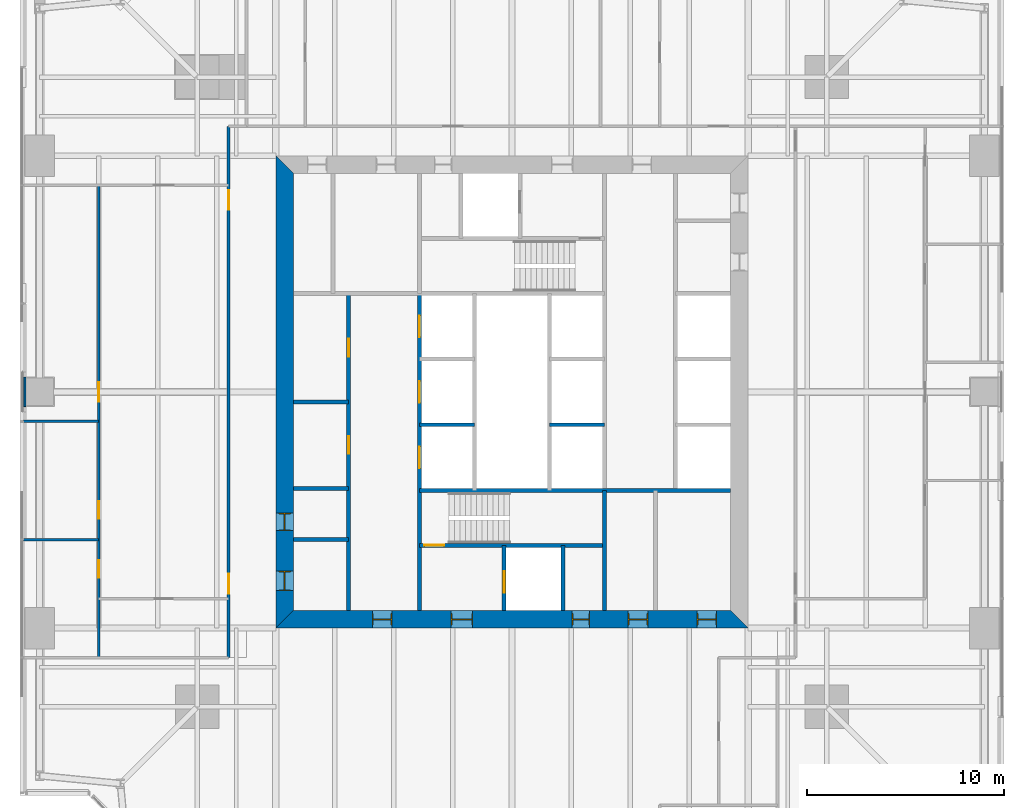
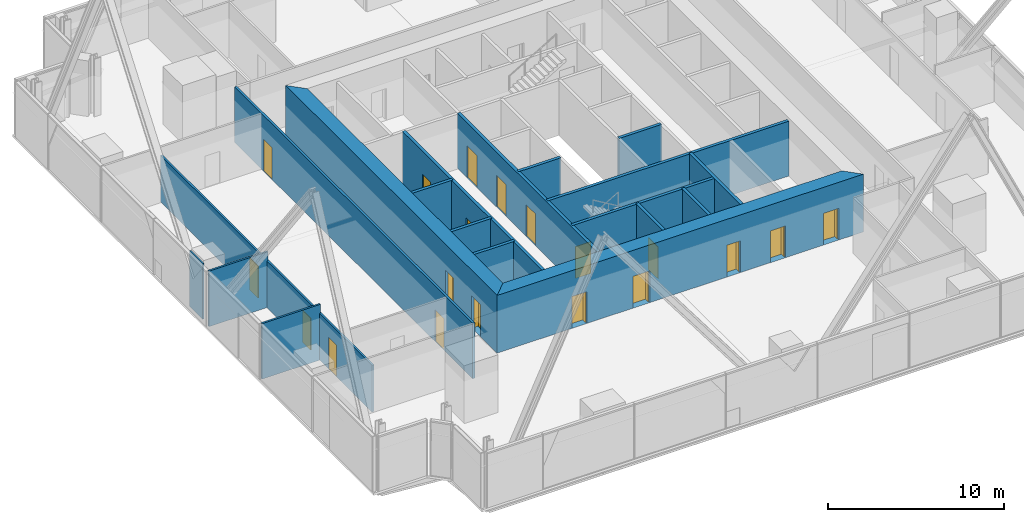
# One storey, part 9 of 13: 19 doors, 19 walls, 19 openings.
"""IFC4 building model written with IfcOpenShell, lengths in metres."""

from ifc_helpers import new_model, si_unit, direction, frame, frame_2d, origin, place, context, subcontext, project, spatial, polyline, rectangle, outline, extrude, material, layer, layer_set, type_object, element, fill, save


model = new_model("IFC4")

# Units and contexts
model_context = context("Model", 3, precision=1e-05, world=origin(), true_north=direction((0.0, 1.0)))
body_context = subcontext(model_context, "Body", "Model", "MODEL_VIEW")
ifc_project = project(units=[si_unit("LENGTHUNIT", "METRE"), si_unit("AREAUNIT", "SQUARE_METRE"), si_unit("VOLUMEUNIT", "CUBIC_METRE"), si_unit("PLANEANGLEUNIT", "RADIAN"), si_unit("MASSUNIT", "GRAM", prefix="KILO")], contexts=[model_context])

# Site, building, storey
site_placement = place(None, origin())
site = spatial("IfcSite", under=ifc_project, at=site_placement, CompositionType="ELEMENT")
building_placement = place(site_placement, origin())
building = spatial("IfcBuilding", under=site, at=building_placement, Name="Fenwick Lantern Interchange", CompositionType="ELEMENT")
storey_placement = place(building_placement, frame((0.0, 0.0, 114.39990234375)))
storey = spatial("IfcBuildingStorey", under=building, at=storey_placement, Name="L26", CompositionType="ELEMENT", Elevation=114.39990234375)

# Wall
ifc_material_1 = material(Name="Fire-rated gypsum board encasement on steel studs, 2 hour", Category="steel")
ifc_layer_1 = layer(ifc_material_1, 1.5)
ifc_layer_set_1 = layer_set([ifc_layer_1], Name="COLUMN PIER 1500")
wall_type_1 = type_object("IfcWallType", Name="COLUMN PIER 1500", PredefinedType="PARTITIONING", material=ifc_layer_set_1)
wall_1_placement = place(storey_placement, frame((0.199951171875, 25.0, 0.0), z_axis=(0.0, 0.0, 1.0), x_axis=(1.0, 0.0, 0.0)))
element("IfcWall", 1, at=wall_1_placement, inside=storey, type_object=wall_type_1, Name="L26/W/PIER/CW3", PredefinedType="PARTITIONING", context=body_context, shape_type="SweptSolid", body=[
    extrude(rectangle(XDim=0.10009765625, YDim=1.5, at=frame_2d((0.050048828125, 0.0))), origin(), (0.0, 0.0, 1.0), 3.85009765625),
])

# Wall, openings, doors
ifc_material_2 = material(Name="Concrete masonry ASTM C90 Grade N", Category="masonry")
ifc_layer_2 = layer(ifc_material_2, 0.199951171875)
ifc_layer_set_2 = layer_set([ifc_layer_2], Name="Concrete masonry ASTM C90 Grade N")
wall_type_2 = type_object("IfcWallType", Name="CORE PARTITION 200", PredefinedType="PARTITIONING", material=ifc_layer_set_2)
wall_2_placement = place(storey_placement, frame((16.699951171875, 13.89990234375, 0.0), z_axis=(0.0, 0.0, 1.0), x_axis=(0.0, 1.0, 0.0)))
wall_2 = element("IfcWall", 2, at=wall_2_placement, inside=storey, type_object=wall_type_2, Name="L26/W/CORES/a", PredefinedType="PARTITIONING", context=body_context, shape_type="SweptSolid", body=[
    extrude(rectangle(XDim=16.10009765625, YDim=0.199951171875, at=frame_2d((8.050048828125, 0.0))), origin(), (0.0, 0.0, 1.0), 3.800048828125),
])
opening_1_placement = place(wall_2_placement, frame((7.949951171875, 0.0, 0.0)))
opening_1 = element("IfcOpeningElement", 3, at=opening_1_placement, cuts=wall_2, Name="Opening L26-D009", PredefinedType="OPENING", context=body_context, shape_type="SweptSolid", body=[
    extrude(rectangle(XDim=0.89990234375, YDim=2.199951171875, at=frame_2d((0.449951171875, 1.10009765625))), frame((0.0, 0.10986328125, 0.0), z_axis=(0.0, -1.0, 0.0), x_axis=(1.0, 0.0, 0.0)), (0.0, 0.0, 1.0), 0.219970703125),
])
opening_2_placement = place(wall_2_placement, frame((12.89990234375, 0.0, 0.0)))
opening_2 = element("IfcOpeningElement", 4, at=opening_2_placement, cuts=wall_2, Name="Opening L26-D010", PredefinedType="OPENING", context=body_context, shape_type="SweptSolid", body=[
    extrude(rectangle(XDim=0.89990234375, YDim=2.199951171875, at=frame_2d((0.449951171875, 1.10009765625))), frame((0.0, 0.10986328125, 0.0), z_axis=(0.0, -1.0, 0.0), x_axis=(1.0, 0.0, 0.0)), (0.0, 0.0, 1.0), 0.219970703125),
])
ifc_material_3 = material(Name="Steel door and frame", Category="steel")
door_type_1 = type_object("IfcDoorType", Name="SERVICE DOOR 900 X 2200", OperationType="SINGLE_SWING_LEFT", PredefinedType="DOOR", material=ifc_material_3)
door_1_placement = place(opening_1_placement, origin())
door_1 = element("IfcDoor", 5, at=door_1_placement, inside=storey, type_object=door_type_1, Name="Service door", OperationType="SINGLE_SWING_LEFT", OverallHeight=2.199951171875, OverallWidth=0.89990234375, PredefinedType="DOOR", context=body_context, shape_type="SweptSolid", body=[
    extrude(rectangle(XDim=0.89990234375, YDim=2.199951171875, at=frame_2d((0.449951171875, 1.10009765625))), frame((0.0, 0.02490234375, 0.0), z_axis=(0.0, -1.0, 0.0), x_axis=(1.0, 0.0, 0.0)), (0.0, 0.0, 1.0), 0.050048828125),
])
fill(opening_1, door_1)
door_2_placement = place(opening_2_placement, origin())
door_2 = element("IfcDoor", 6, at=door_2_placement, inside=storey, type_object=door_type_1, Name="Service door", OperationType="SINGLE_SWING_LEFT", OverallHeight=2.199951171875, OverallWidth=0.89990234375, PredefinedType="DOOR", context=body_context, shape_type="SweptSolid", body=[
    extrude(rectangle(XDim=0.89990234375, YDim=2.199951171875, at=frame_2d((0.449951171875, 1.10009765625))), frame((0.0, 0.02490234375, 0.0), z_axis=(0.0, -1.0, 0.0), x_axis=(1.0, 0.0, 0.0)), (0.0, 0.0, 1.0), 0.050048828125),
])
fill(opening_2, door_2)

# Wall
wall_3_placement = place(storey_placement, frame((20.300048828125, 23.333251953125, 0.0), z_axis=(0.0, 0.0, 1.0), x_axis=(1.0, 0.0, 0.0)))
element("IfcWall", 7, at=wall_3_placement, inside=storey, type_object=wall_type_2, Name="L26/W/CORES/e1", PredefinedType="PARTITIONING", context=body_context, shape_type="SweptSolid", body=[
    extrude(rectangle(XDim=2.800048828125, YDim=0.199951171875, at=frame_2d((1.39990234375, 0.0))), origin(), (0.0, 0.0, 1.0), 3.800048828125),
])

# Wall, opening, door
wall_4_placement = place(storey_placement, frame((24.60009765625, 13.89990234375, 0.0), z_axis=(0.0, 0.0, 1.0), x_axis=(0.0, 1.0, 0.0)))
wall_4 = element("IfcWall", 8, at=wall_4_placement, inside=storey, type_object=wall_type_2, Name="L26/W/CORES/h1", PredefinedType="PARTITIONING", context=body_context, shape_type="SweptSolid", body=[
    extrude(rectangle(XDim=3.300048828125, YDim=0.199951171875, at=frame_2d((1.64990234375, 0.0))), origin(), (0.0, 0.0, 1.0), 3.800048828125),
])
opening_3_placement = place(wall_4_placement, frame((0.89990234375, 0.0, 0.0)))
opening_3 = element("IfcOpeningElement", 9, at=opening_3_placement, cuts=wall_4, Name="Opening LD-FL1", PredefinedType="OPENING", context=body_context, shape_type="SweptSolid", body=[
    extrude(rectangle(XDim=1.10009765625, YDim=2.199951171875, at=frame_2d((0.550048828125, 1.10009765625))), frame((0.0, 0.10986328125, 0.0), z_axis=(0.0, -1.0, 0.0), x_axis=(1.0, 0.0, 0.0)), (0.0, 0.0, 1.0), 0.219970703125),
])
door_type_2 = type_object("IfcDoorType", Name="LIFT LANDING DOOR 1100 X 2200", OperationType="DOUBLE_DOOR_SLIDING", PredefinedType="DOOR", material=ifc_material_3)
door_3_placement = place(opening_3_placement, origin())
door_3 = element("IfcDoor", 10, at=door_3_placement, inside=storey, type_object=door_type_2, Name="Lift landing door FL1", OperationType="DOUBLE_DOOR_SLIDING", OverallHeight=2.199951171875, OverallWidth=1.10009765625, PredefinedType="DOOR", context=body_context, shape_type="SweptSolid", body=[
    extrude(rectangle(XDim=1.10009765625, YDim=2.199951171875, at=frame_2d((0.550048828125, 1.10009765625))), frame((0.0, 0.02490234375, 0.0), z_axis=(0.0, -1.0, 0.0), x_axis=(1.0, 0.0, 0.0)), (0.0, 0.0, 1.0), 0.050048828125),
])
fill(opening_3, door_3)

# Walls
wall_5_placement = place(storey_placement, frame((27.60009765625, 13.89990234375, 0.0), z_axis=(0.0, 0.0, 1.0), x_axis=(0.0, 1.0, 0.0)))
element("IfcWall", 11, at=wall_5_placement, inside=storey, type_object=wall_type_2, Name="L26/W/CORES/h2", PredefinedType="PARTITIONING", context=body_context, shape_type="SweptSolid", body=[
    extrude(rectangle(XDim=3.300048828125, YDim=0.199951171875, at=frame_2d((1.64990234375, 0.0))), origin(), (0.0, 0.0, 1.0), 3.800048828125),
])
for number, where, z_axis, x_axis, name in (
    (12, (13.89990234375, 17.5, 0.0), (0.0, 0.0, 1.0), (1.0, 0.0, 0.0), "L26/W/CORES/p1"),
    (13, (13.89990234375, 20.10009765625, 0.0), (0.0, 0.0, 1.0), (1.0, 0.0, 0.0), "L26/W/CORES/p2"),
    (14, (13.89990234375, 24.5, 0.0), (0.0, 0.0, 1.0), (1.0, 0.0, 0.0), "L26/W/CORES/p3"),
    (15, (29.699951171875, 23.333251953125, 0.0), (0.0, 0.0, 1.0), (-1.0, 0.0, 0.0), "L26/W/COREN/e2"),
):
    element("IfcWall", number, at=place(storey_placement, frame(where, z_axis=z_axis, x_axis=x_axis)), inside=storey, type_object=wall_type_2, Name=name, PredefinedType="PARTITIONING", context=body_context, shape_type="SweptSolid", body=[
        extrude(rectangle(XDim=2.800048828125, YDim=0.199951171875, at=frame_2d((1.39990234375, 0.0))), origin(), (0.0, 0.0, 1.0), 3.800048828125),
    ])

# Wall, openings, doors
ifc_material_4 = material(Name="Concrete f'c 70 MPa", Category="concrete")
ifc_layer_3 = layer(ifc_material_4, 0.89990234375)
ifc_layer_set_3 = layer_set([ifc_layer_3], Name="CORE WALL 900")
wall_type_3 = type_object("IfcWallType", Name="CORE WALL 900", PredefinedType="SHEAR", material=ifc_layer_set_3)
wall_6_placement = place(storey_placement, frame((13.0, 13.449951171875, 0.0), z_axis=(0.0, 0.0, 1.0), x_axis=(1.0, 0.0, 0.0)))
wall_6 = element("IfcWall", 16, at=wall_6_placement, inside=storey, type_object=wall_type_3, Name="L26/CORE/S", PredefinedType="SHEAR", context=body_context, shape_type="SweptSolid", body=[
    extrude(outline(polyline([(0.0, -0.449951171875), (24.0, -0.449951171875), (23.10009765625, 0.449951171875), (0.89990234375, 0.449951171875), (0.0, -0.449951171875)])), origin(), (0.0, 0.0, 1.0), 4.0),
])
opening_4_placement = place(wall_6_placement, frame((4.89990234375, 0.0, 0.0)))
opening_4 = element("IfcOpeningElement", 17, at=opening_4_placement, cuts=wall_6, Name="Opening L26-D001", PredefinedType="OPENING", context=body_context, shape_type="SweptSolid", body=[
    extrude(rectangle(XDim=1.0, YDim=2.199951171875, at=frame_2d((0.5, 1.10009765625))), frame((0.0, 0.4599609375, 0.0), z_axis=(0.0, -1.0, 0.0), x_axis=(1.0, 0.0, 0.0)), (0.0, 0.0, 1.0), 0.919921875),
])
opening_5_placement = place(wall_6_placement, frame((8.89990234375, 0.0, 0.0)))
opening_5 = element("IfcOpeningElement", 18, at=opening_5_placement, cuts=wall_6, Name="Opening L26-D002", PredefinedType="OPENING", context=body_context, shape_type="SweptSolid", body=[
    extrude(rectangle(XDim=1.10009765625, YDim=2.199951171875, at=frame_2d((0.550048828125, 1.10009765625))), frame((0.0, 0.4599609375, 0.0), z_axis=(0.0, -1.0, 0.0), x_axis=(1.0, 0.0, 0.0)), (0.0, 0.0, 1.0), 0.919921875),
])
opening_6_placement = place(wall_6_placement, frame((15.050048828125, 0.0, 0.0)))
opening_6 = element("IfcOpeningElement", 19, at=opening_6_placement, cuts=wall_6, Name="Opening L26-D004", PredefinedType="OPENING", context=body_context, shape_type="SweptSolid", body=[
    extrude(rectangle(XDim=0.89990234375, YDim=2.199951171875, at=frame_2d((0.449951171875, 1.10009765625))), frame((0.0, 0.4599609375, 0.0), z_axis=(0.0, -1.0, 0.0), x_axis=(1.0, 0.0, 0.0)), (0.0, 0.0, 1.0), 0.919921875),
])
opening_7_placement = place(wall_6_placement, frame((17.89990234375, 0.0, 0.0)))
opening_7 = element("IfcOpeningElement", 20, at=opening_7_placement, cuts=wall_6, Name="Opening L26-D005", PredefinedType="OPENING", context=body_context, shape_type="SweptSolid", body=[
    extrude(rectangle(XDim=1.0, YDim=2.199951171875, at=frame_2d((0.5, 1.10009765625))), frame((0.0, 0.4599609375, 0.0), z_axis=(0.0, -1.0, 0.0), x_axis=(1.0, 0.0, 0.0)), (0.0, 0.0, 1.0), 0.919921875),
])
opening_8_placement = place(wall_6_placement, frame((21.39990234375, 0.0, 0.0)))
opening_8 = element("IfcOpeningElement", 21, at=opening_8_placement, cuts=wall_6, Name="Opening L26-D006", PredefinedType="OPENING", context=body_context, shape_type="SweptSolid", body=[
    extrude(rectangle(XDim=1.0, YDim=2.199951171875, at=frame_2d((0.5, 1.10009765625))), frame((0.0, 0.4599609375, 0.0), z_axis=(0.0, -1.0, 0.0), x_axis=(1.0, 0.0, 0.0)), (0.0, 0.0, 1.0), 0.919921875),
])
door_type_3 = type_object("IfcDoorType", Name="CORE LOBBY DOOR 1000 X 2200", OperationType="SINGLE_SWING_LEFT", PredefinedType="DOOR", material=ifc_material_3)
door_4_placement = place(opening_4_placement, origin())
door_4 = element("IfcDoor", 22, at=door_4_placement, inside=storey, type_object=door_type_3, Name="Core lobby door", OperationType="SINGLE_SWING_LEFT", OverallHeight=2.199951171875, OverallWidth=1.0, PredefinedType="DOOR", context=body_context, shape_type="SweptSolid", body=[
    extrude(rectangle(XDim=1.0, YDim=2.199951171875, at=frame_2d((0.5, 1.10009765625))), frame((0.0, 0.02490234375, 0.0), z_axis=(0.0, -1.0, 0.0), x_axis=(1.0, 0.0, 0.0)), (0.0, 0.0, 1.0), 0.050048828125),
    extrude(outline(polyline([(0.0, 0.0), (0.0400390625, 0.0), (0.0400390625, 2.159912109375), (0.9599609375, 2.159912109375), (0.9599609375, 0.0), (1.0, 0.0), (1.0, 2.199951171875), (0.0, 2.199951171875), (0.0, 0.0)])), frame((0.0, 0.300048828125, 0.0), z_axis=(0.0, -1.0, 0.0), x_axis=(1.0, 0.0, 0.0)), (0.0, 0.0, 1.0), 0.60009765625),
])
fill(opening_4, door_4)
door_type_4 = type_object("IfcDoorType", Name="FIRE LOBBY DOOR 1100 X 2200", OperationType="SINGLE_SWING_LEFT", PredefinedType="DOOR", material=ifc_material_3)
door_5_placement = place(opening_5_placement, origin())
door_5 = element("IfcDoor", 23, at=door_5_placement, inside=storey, type_object=door_type_4, Name="Fire lobby door", OperationType="SINGLE_SWING_LEFT", OverallHeight=2.199951171875, OverallWidth=1.10009765625, PredefinedType="DOOR", context=body_context, shape_type="SweptSolid", body=[
    extrude(rectangle(XDim=1.10009765625, YDim=2.199951171875, at=frame_2d((0.550048828125, 1.10009765625))), frame((0.0, 0.02490234375, 0.0), z_axis=(0.0, -1.0, 0.0), x_axis=(1.0, 0.0, 0.0)), (0.0, 0.0, 1.0), 0.050048828125),
    extrude(outline(polyline([(0.0, 0.0), (0.0400390625, 0.0), (0.0400390625, 2.159912109375), (1.06005859375, 2.159912109375), (1.06005859375, 0.0), (1.10009765625, 0.0), (1.10009765625, 2.199951171875), (0.0, 2.199951171875), (0.0, 0.0)])), frame((0.0, 0.300048828125, 0.0), z_axis=(0.0, -1.0, 0.0), x_axis=(1.0, 0.0, 0.0)), (0.0, 0.0, 1.0), 0.60009765625),
])
fill(opening_5, door_5)
door_6_placement = place(opening_6_placement, origin())
door_6 = element("IfcDoor", 24, at=door_6_placement, inside=storey, type_object=door_type_1, Name="Service door", OperationType="SINGLE_SWING_LEFT", OverallHeight=2.199951171875, OverallWidth=0.89990234375, PredefinedType="DOOR", context=body_context, shape_type="SweptSolid", body=[
    extrude(rectangle(XDim=0.89990234375, YDim=2.199951171875, at=frame_2d((0.449951171875, 1.10009765625))), frame((0.0, 0.02490234375, 0.0), z_axis=(0.0, -1.0, 0.0), x_axis=(1.0, 0.0, 0.0)), (0.0, 0.0, 1.0), 0.050048828125),
    extrude(outline(polyline([(0.0, 0.0), (0.0400390625, 0.0), (0.0400390625, 2.159912109375), (0.85986328125, 2.159912109375), (0.85986328125, 0.0), (0.89990234375, 0.0), (0.89990234375, 2.199951171875), (0.0, 2.199951171875), (0.0, 0.0)])), frame((0.0, 0.300048828125, 0.0), z_axis=(0.0, -1.0, 0.0), x_axis=(1.0, 0.0, 0.0)), (0.0, 0.0, 1.0), 0.60009765625),
])
fill(opening_6, door_6)
ifc_material_5 = material(Name="Hardwood door and steel frame", Category="steel")
door_type_5 = type_object("IfcDoorType", Name="WC DOOR 1000 X 2200", OperationType="SINGLE_SWING_LEFT", PredefinedType="DOOR", material=ifc_material_5)
door_7_placement = place(opening_7_placement, origin())
door_7 = element("IfcDoor", 25, at=door_7_placement, inside=storey, type_object=door_type_5, Name="Wc door", OperationType="SINGLE_SWING_RIGHT", OverallHeight=2.199951171875, OverallWidth=1.0, PredefinedType="DOOR", context=body_context, shape_type="SweptSolid", body=[
    extrude(rectangle(XDim=1.0, YDim=2.199951171875, at=frame_2d((0.5, 1.10009765625))), frame((0.0, 0.02490234375, 0.0), z_axis=(0.0, -1.0, 0.0), x_axis=(1.0, 0.0, 0.0)), (0.0, 0.0, 1.0), 0.050048828125),
    extrude(outline(polyline([(0.0, 0.0), (0.0400390625, 0.0), (0.0400390625, 2.159912109375), (0.9599609375, 2.159912109375), (0.9599609375, 0.0), (1.0, 0.0), (1.0, 2.199951171875), (0.0, 2.199951171875), (0.0, 0.0)])), frame((0.0, 0.300048828125, 0.0), z_axis=(0.0, -1.0, 0.0), x_axis=(1.0, 0.0, 0.0)), (0.0, 0.0, 1.0), 0.60009765625),
])
fill(opening_7, door_7)
door_8_placement = place(opening_8_placement, origin())
door_8 = element("IfcDoor", 26, at=door_8_placement, inside=storey, type_object=door_type_5, Name="Wc door", OperationType="SINGLE_SWING_RIGHT", OverallHeight=2.199951171875, OverallWidth=1.0, PredefinedType="DOOR", context=body_context, shape_type="SweptSolid", body=[
    extrude(rectangle(XDim=1.0, YDim=2.199951171875, at=frame_2d((0.5, 1.10009765625))), frame((0.0, 0.02490234375, 0.0), z_axis=(0.0, -1.0, 0.0), x_axis=(1.0, 0.0, 0.0)), (0.0, 0.0, 1.0), 0.050048828125),
    extrude(outline(polyline([(0.0, 0.0), (0.0400390625, 0.0), (0.0400390625, 2.159912109375), (0.9599609375, 2.159912109375), (0.9599609375, 0.0), (1.0, 0.0), (1.0, 2.199951171875), (0.0, 2.199951171875), (0.0, 0.0)])), frame((0.0, 0.300048828125, 0.0), z_axis=(0.0, -1.0, 0.0), x_axis=(1.0, 0.0, 0.0)), (0.0, 0.0, 1.0), 0.60009765625),
])
fill(opening_8, door_8)

wall_7_placement = place(storey_placement, frame((13.449951171875, 36.10009765625, 0.0), z_axis=(0.0, 0.0, 1.0), x_axis=(0.0, -1.0, 0.0)))
wall_7 = element("IfcWall", 27, at=wall_7_placement, inside=storey, type_object=wall_type_3, Name="L26/CORE/W", PredefinedType="SHEAR", context=body_context, shape_type="SweptSolid", body=[
    extrude(outline(polyline([(-0.89990234375, -0.449951171875), (23.10009765625, -0.449951171875), (22.199951171875, 0.449951171875), (0.0, 0.449951171875), (-0.89990234375, -0.449951171875)])), origin(), (0.0, 0.0, 1.0), 4.0),
])
opening_9_placement = place(wall_7_placement, frame((20.199951171875, 0.0, 0.0)))
opening_9 = element("IfcOpeningElement", 28, at=opening_9_placement, cuts=wall_7, Name="Opening L26-D007", PredefinedType="OPENING", context=body_context, shape_type="SweptSolid", body=[
    extrude(rectangle(XDim=1.0, YDim=2.199951171875, at=frame_2d((0.5, 1.10009765625))), frame((0.0, 0.4599609375, 0.0), z_axis=(0.0, -1.0, 0.0), x_axis=(1.0, 0.0, 0.0)), (0.0, 0.0, 1.0), 0.919921875),
])
opening_10_placement = place(wall_7_placement, frame((17.25, 0.0, 0.0)))
opening_10 = element("IfcOpeningElement", 29, at=opening_10_placement, cuts=wall_7, Name="Opening L26-D008", PredefinedType="OPENING", context=body_context, shape_type="SweptSolid", body=[
    extrude(rectangle(XDim=0.89990234375, YDim=2.199951171875, at=frame_2d((0.449951171875, 1.10009765625))), frame((0.0, 0.4599609375, 0.0), z_axis=(0.0, -1.0, 0.0), x_axis=(1.0, 0.0, 0.0)), (0.0, 0.0, 1.0), 0.919921875),
])
door_9_placement = place(opening_10_placement, origin())
door_9 = element("IfcDoor", 30, at=door_9_placement, inside=storey, type_object=door_type_1, Name="Service door", OperationType="SINGLE_SWING_RIGHT", OverallHeight=2.199951171875, OverallWidth=0.89990234375, PredefinedType="DOOR", context=body_context, shape_type="SweptSolid", body=[
    extrude(rectangle(XDim=0.89990234375, YDim=2.199951171875, at=frame_2d((0.449951171875, 1.10009765625))), frame((0.0, 0.02490234375, 0.0), z_axis=(0.0, -1.0, 0.0), x_axis=(1.0, 0.0, 0.0)), (0.0, 0.0, 1.0), 0.050048828125),
    extrude(outline(polyline([(0.0, 0.0), (0.0400390625, 0.0), (0.0400390625, 2.159912109375), (0.85986328125, 2.159912109375), (0.85986328125, 0.0), (0.89990234375, 0.0), (0.89990234375, 2.199951171875), (0.0, 2.199951171875), (0.0, 0.0)])), frame((0.0, 0.300048828125, 0.0), z_axis=(0.0, -1.0, 0.0), x_axis=(1.0, 0.0, 0.0)), (0.0, 0.0, 1.0), 0.60009765625),
])
fill(opening_10, door_9)
door_10_placement = place(opening_9_placement, origin())
door_10 = element("IfcDoor", 31, at=door_10_placement, inside=storey, type_object=door_type_5, Name="Wc door", OperationType="SINGLE_SWING_RIGHT", OverallHeight=2.199951171875, OverallWidth=1.0, PredefinedType="DOOR", context=body_context, shape_type="SweptSolid", body=[
    extrude(rectangle(XDim=1.0, YDim=2.199951171875, at=frame_2d((0.5, 1.10009765625))), frame((0.0, 0.02490234375, 0.0), z_axis=(0.0, -1.0, 0.0), x_axis=(1.0, 0.0, 0.0)), (0.0, 0.0, 1.0), 0.050048828125),
    extrude(outline(polyline([(0.0, 0.0), (0.0400390625, 0.0), (0.0400390625, 2.159912109375), (0.9599609375, 2.159912109375), (0.9599609375, 0.0), (1.0, 0.0), (1.0, 2.199951171875), (0.0, 2.199951171875), (0.0, 0.0)])), frame((0.0, 0.300048828125, 0.0), z_axis=(0.0, -1.0, 0.0), x_axis=(1.0, 0.0, 0.0)), (0.0, 0.0, 1.0), 0.60009765625),
])
fill(opening_9, door_10)

ifc_material_6 = material(Name="Gypsum board on steel studs, 1 hour", Category="steel")
ifc_layer_4 = layer(ifc_material_6, 0.14990234375)
ifc_layer_set_4 = layer_set([ifc_layer_4], Name="CORRIDOR WALL 150")
wall_type_4 = type_object("IfcWallType", Name="CORRIDOR WALL 150", PredefinedType="PARTITIONING", material=ifc_layer_set_4)
wall_8_placement = place(storey_placement, frame((10.60009765625, 38.5, 0.0), z_axis=(0.0, 0.0, 1.0), x_axis=(0.0, -1.0, 0.0)))
wall_8 = element("IfcWall", 32, at=wall_8_placement, inside=storey, type_object=wall_type_4, Name="L26/W/OFF/W/CW2", PredefinedType="PARTITIONING", context=body_context, shape_type="SweptSolid", body=[
    extrude(rectangle(XDim=27.0, YDim=0.14990234375, at=frame_2d((13.5, 0.0))), origin(), (0.0, 0.0, 1.0), 3.85009765625),
])
opening_11_placement = place(wall_8_placement, frame((3.25, 0.0, 0.0)))
opening_11 = element("IfcOpeningElement", 33, at=opening_11_placement, cuts=wall_8, Name="Opening L26-D034", PredefinedType="OPENING", context=body_context, shape_type="SweptSolid", body=[
    extrude(rectangle(XDim=1.0, YDim=2.199951171875, at=frame_2d((0.5, 1.10009765625))), frame((0.0, 0.0849609375, 0.0), z_axis=(0.0, -1.0, 0.0), x_axis=(1.0, 0.0, 0.0)), (0.0, 0.0, 1.0), 0.169921875),
])
opening_12_placement = place(wall_8_placement, frame((22.75, 0.0, 0.0)))
opening_12 = element("IfcOpeningElement", 34, at=opening_12_placement, cuts=wall_8, Name="Opening L26-D035", PredefinedType="OPENING", context=body_context, shape_type="SweptSolid", body=[
    extrude(rectangle(XDim=1.0, YDim=2.199951171875, at=frame_2d((0.5, 1.10009765625))), frame((0.0, 0.0849609375, 0.0), z_axis=(0.0, -1.0, 0.0), x_axis=(1.0, 0.0, 0.0)), (0.0, 0.0, 1.0), 0.169921875),
])
door_type_6 = type_object("IfcDoorType", Name="SUITE ENTRANCE DOOR 1000 X 2200", OperationType="SINGLE_SWING_LEFT", PredefinedType="DOOR", material=ifc_material_3)
door_11_placement = place(opening_11_placement, origin())
door_11 = element("IfcDoor", 35, at=door_11_placement, inside=storey, type_object=door_type_6, Name="Suite entrance door", OperationType="SINGLE_SWING_LEFT", OverallHeight=2.199951171875, OverallWidth=1.0, PredefinedType="DOOR", context=body_context, shape_type="SweptSolid", body=[
    extrude(rectangle(XDim=1.0, YDim=2.199951171875, at=frame_2d((0.5, 1.10009765625))), frame((0.0, 0.02490234375, 0.0), z_axis=(0.0, -1.0, 0.0), x_axis=(1.0, 0.0, 0.0)), (0.0, 0.0, 1.0), 0.050048828125),
])
fill(opening_11, door_11)
door_12_placement = place(opening_12_placement, origin())
door_12 = element("IfcDoor", 36, at=door_12_placement, inside=storey, type_object=door_type_6, Name="Suite entrance door", OperationType="SINGLE_SWING_RIGHT", OverallHeight=2.199951171875, OverallWidth=1.0, PredefinedType="DOOR", context=body_context, shape_type="SweptSolid", body=[
    extrude(rectangle(XDim=1.0, YDim=2.199951171875, at=frame_2d((0.5, 1.10009765625))), frame((0.0, 0.02490234375, 0.0), z_axis=(0.0, -1.0, 0.0), x_axis=(1.0, 0.0, 0.0)), (0.0, 0.0, 1.0), 0.050048828125),
])
fill(opening_12, door_12)

# Walls
ifc_material_7 = material(Name="Gypsum board on steel studs, acoustic", Category="steel")
ifc_layer_5 = layer(ifc_material_7, 0.125)
ifc_layer_set_5 = layer_set([ifc_layer_5], Name="OFFICE PARTITION 125")
wall_type_5 = type_object("IfcWallType", Name="OFFICE PARTITION 125", PredefinedType="PARTITIONING", material=ifc_layer_set_5)
for number, where, z_axis, x_axis, name in (
    (37, (0.14990234375, 23.5, 0.0), (0.0, 0.0, 1.0), (1.0, 0.0, 0.0), "L26/W/OFF/W/X265-1"),
    (38, (0.14990234375, 17.5, 0.0), (0.0, 0.0, 1.0), (1.0, 0.0, 0.0), "L26/W/OFF/W/X325-1"),
):
    element("IfcWall", number, at=place(storey_placement, frame(where, z_axis=z_axis, x_axis=x_axis)), inside=storey, type_object=wall_type_5, Name=name, PredefinedType="PARTITIONING", context=body_context, shape_type="SweptSolid", body=[
        extrude(rectangle(XDim=3.85009765625, YDim=0.125, at=frame_2d((1.925048828125, 0.0))), origin(), (0.0, 0.0, 1.0), 3.85009765625),
    ])

# Wall, openings, doors
wall_9_placement = place(storey_placement, frame((4.0, 35.5, 0.0), z_axis=(0.0, 0.0, 1.0), x_axis=(0.0, -1.0, 0.0)))
wall_9 = element("IfcWall", 39, at=wall_9_placement, inside=storey, type_object=wall_type_5, Name="L26/W/OFF/W/Y40-1", PredefinedType="PARTITIONING", context=body_context, shape_type="SweptSolid", body=[
    extrude(rectangle(XDim=24.0, YDim=0.125, at=frame_2d((12.0, 0.0))), origin(), (0.0, 0.0, 1.0), 3.238037109375),
])
opening_13_placement = place(wall_9_placement, frame((10.0, 0.0, 0.0)))
opening_13 = element("IfcOpeningElement", 40, at=opening_13_placement, cuts=wall_9, Name="Opening L26-D037", PredefinedType="OPENING", context=body_context, shape_type="SweptSolid", body=[
    extrude(rectangle(XDim=1.0, YDim=2.199951171875, at=frame_2d((0.5, 1.10009765625))), frame((0.0, 0.072509765625, 0.0), z_axis=(0.0, -1.0, 0.0), x_axis=(1.0, 0.0, 0.0)), (0.0, 0.0, 1.0), 0.14501953125),
])
opening_14_placement = place(wall_9_placement, frame((16.050048828125, 0.0, 0.0)))
opening_14 = element("IfcOpeningElement", 41, at=opening_14_placement, cuts=wall_9, Name="Opening L26-D038", PredefinedType="OPENING", context=body_context, shape_type="SweptSolid", body=[
    extrude(rectangle(XDim=0.89990234375, YDim=2.199951171875, at=frame_2d((0.449951171875, 1.10009765625))), frame((0.0, 0.072509765625, 0.0), z_axis=(0.0, -1.0, 0.0), x_axis=(1.0, 0.0, 0.0)), (0.0, 0.0, 1.0), 0.14501953125),
])
opening_15_placement = place(wall_9_placement, frame((19.050048828125, 0.0, 0.0)))
opening_15 = element("IfcOpeningElement", 42, at=opening_15_placement, cuts=wall_9, Name="Opening L26-D039", PredefinedType="OPENING", context=body_context, shape_type="SweptSolid", body=[
    extrude(rectangle(XDim=0.89990234375, YDim=2.199951171875, at=frame_2d((0.449951171875, 1.10009765625))), frame((0.0, 0.072509765625, 0.0), z_axis=(0.0, -1.0, 0.0), x_axis=(1.0, 0.0, 0.0)), (0.0, 0.0, 1.0), 0.14501953125),
])
door_type_7 = type_object("IfcDoorType", Name="MEETING ROOM DOOR 1000 X 2200", OperationType="SINGLE_SWING_LEFT", PredefinedType="DOOR", material=ifc_material_5)
door_13_placement = place(opening_13_placement, frame((1.0, 0.0, 0.0), z_axis=(0.0, 0.0, 1.0), x_axis=(-1.0, 0.0, 0.0)))
door_13 = element("IfcDoor", 43, at=door_13_placement, inside=storey, type_object=door_type_7, Name="Meeting room door", OperationType="SINGLE_SWING_LEFT", OverallHeight=2.199951171875, OverallWidth=1.0, PredefinedType="DOOR", context=body_context, shape_type="SweptSolid", body=[
    extrude(rectangle(XDim=1.0, YDim=2.199951171875, at=frame_2d((0.5, 1.10009765625))), frame((0.0, 0.02490234375, 0.0), z_axis=(0.0, -1.0, 0.0), x_axis=(1.0, 0.0, 0.0)), (0.0, 0.0, 1.0), 0.050048828125),
])
fill(opening_13, door_13)
door_type_8 = type_object("IfcDoorType", Name="OFFICE DOOR 900 X 2200", OperationType="SINGLE_SWING_LEFT", PredefinedType="DOOR", material=ifc_material_5)
door_14_placement = place(opening_14_placement, frame((0.89990234375, 0.0, 0.0), z_axis=(0.0, 0.0, 1.0), x_axis=(-1.0, 0.0, 0.0)))
door_14 = element("IfcDoor", 44, at=door_14_placement, inside=storey, type_object=door_type_8, Name="Office door", OperationType="SINGLE_SWING_LEFT", OverallHeight=2.199951171875, OverallWidth=0.89990234375, PredefinedType="DOOR", context=body_context, shape_type="SweptSolid", body=[
    extrude(rectangle(XDim=0.89990234375, YDim=2.199951171875, at=frame_2d((0.449951171875, 1.10009765625))), frame((0.0, 0.02490234375, 0.0), z_axis=(0.0, -1.0, 0.0), x_axis=(1.0, 0.0, 0.0)), (0.0, 0.0, 1.0), 0.050048828125),
])
fill(opening_14, door_14)
door_15_placement = place(opening_15_placement, frame((0.89990234375, 0.0, 0.0), z_axis=(0.0, 0.0, 1.0), x_axis=(-1.0, 0.0, 0.0)))
door_15 = element("IfcDoor", 45, at=door_15_placement, inside=storey, type_object=door_type_8, Name="Office door", OperationType="SINGLE_SWING_RIGHT", OverallHeight=2.199951171875, OverallWidth=0.89990234375, PredefinedType="DOOR", context=body_context, shape_type="SweptSolid", body=[
    extrude(rectangle(XDim=0.89990234375, YDim=2.199951171875, at=frame_2d((0.449951171875, 1.10009765625))), frame((0.0, 0.02490234375, 0.0), z_axis=(0.0, -1.0, 0.0), x_axis=(1.0, 0.0, 0.0)), (0.0, 0.0, 1.0), 0.050048828125),
])
fill(opening_15, door_15)

ifc_material_8 = material(Name="Concrete f'c 45 MPa", Category="concrete")
ifc_layer_6 = layer(ifc_material_8, 0.199951171875)
ifc_layer_set_6 = layer_set([ifc_layer_6], Name="STAIR CORE WALL 200")
wall_type_6 = type_object("IfcWallType", Name="STAIR CORE WALL 200", PredefinedType="SOLIDWALL", material=ifc_layer_set_6)
wall_10_placement = place(storey_placement, frame((20.300048828125, 13.89990234375, 0.0), z_axis=(0.0, 0.0, 1.0), x_axis=(0.0, 1.0, 0.0)))
wall_10 = element("IfcWall", 46, at=wall_10_placement, inside=storey, type_object=wall_type_6, Name="L26/W/CORES/b", PredefinedType="SOLIDWALL", context=body_context, shape_type="SweptSolid", body=[
    extrude(rectangle(XDim=16.10009765625, YDim=0.199951171875, at=frame_2d((8.050048828125, 0.0))), origin(), (0.0, 0.0, 1.0), 3.800048828125),
])
opening_16_placement = place(wall_10_placement, frame((7.216552734375, 0.0, 0.0)))
opening_16 = element("IfcOpeningElement", 47, at=opening_16_placement, cuts=wall_10, Name="Opening LD-W2-1", PredefinedType="OPENING", context=body_context, shape_type="SweptSolid", body=[
    extrude(rectangle(XDim=1.10009765625, YDim=2.199951171875, at=frame_2d((0.550048828125, 1.10009765625))), frame((0.0, 0.10986328125, 0.0), z_axis=(0.0, -1.0, 0.0), x_axis=(1.0, 0.0, 0.0)), (0.0, 0.0, 1.0), 0.219970703125),
])
opening_17_placement = place(wall_10_placement, frame((10.550048828125, 0.0, 0.0)))
opening_17 = element("IfcOpeningElement", 48, at=opening_17_placement, cuts=wall_10, Name="Opening LD-W2-2", PredefinedType="OPENING", context=body_context, shape_type="SweptSolid", body=[
    extrude(rectangle(XDim=1.10009765625, YDim=2.199951171875, at=frame_2d((0.550048828125, 1.10009765625))), frame((0.0, 0.10986328125, 0.0), z_axis=(0.0, -1.0, 0.0), x_axis=(1.0, 0.0, 0.0)), (0.0, 0.0, 1.0), 0.219970703125),
])
opening_18_placement = place(wall_10_placement, frame((13.88330078125, 0.0, 0.0)))
opening_18 = element("IfcOpeningElement", 49, at=opening_18_placement, cuts=wall_10, Name="Opening LD-W2-3", PredefinedType="OPENING", context=body_context, shape_type="SweptSolid", body=[
    extrude(rectangle(XDim=1.10009765625, YDim=2.199951171875, at=frame_2d((0.550048828125, 1.10009765625))), frame((0.0, 0.10986328125, 0.0), z_axis=(0.0, -1.0, 0.0), x_axis=(1.0, 0.0, 0.0)), (0.0, 0.0, 1.0), 0.219970703125),
])
door_16_placement = place(opening_16_placement, origin())
door_16 = element("IfcDoor", 50, at=door_16_placement, inside=storey, type_object=door_type_2, Name="Lift landing door W2-1", OperationType="DOUBLE_DOOR_SLIDING", OverallHeight=2.199951171875, OverallWidth=1.10009765625, PredefinedType="DOOR", context=body_context, shape_type="SweptSolid", body=[
    extrude(rectangle(XDim=1.10009765625, YDim=2.199951171875, at=frame_2d((0.550048828125, 1.10009765625))), frame((0.0, 0.02490234375, 0.0), z_axis=(0.0, -1.0, 0.0), x_axis=(1.0, 0.0, 0.0)), (0.0, 0.0, 1.0), 0.050048828125),
])
fill(opening_16, door_16)
door_17_placement = place(opening_17_placement, origin())
door_17 = element("IfcDoor", 51, at=door_17_placement, inside=storey, type_object=door_type_2, Name="Lift landing door W2-2", OperationType="DOUBLE_DOOR_SLIDING", OverallHeight=2.199951171875, OverallWidth=1.10009765625, PredefinedType="DOOR", context=body_context, shape_type="SweptSolid", body=[
    extrude(rectangle(XDim=1.10009765625, YDim=2.199951171875, at=frame_2d((0.550048828125, 1.10009765625))), frame((0.0, 0.02490234375, 0.0), z_axis=(0.0, -1.0, 0.0), x_axis=(1.0, 0.0, 0.0)), (0.0, 0.0, 1.0), 0.050048828125),
])
fill(opening_17, door_17)
door_18_placement = place(opening_18_placement, origin())
door_18 = element("IfcDoor", 52, at=door_18_placement, inside=storey, type_object=door_type_2, Name="Lift landing door W2-3", OperationType="DOUBLE_DOOR_SLIDING", OverallHeight=2.199951171875, OverallWidth=1.10009765625, PredefinedType="DOOR", context=body_context, shape_type="SweptSolid", body=[
    extrude(rectangle(XDim=1.10009765625, YDim=2.199951171875, at=frame_2d((0.550048828125, 1.10009765625))), frame((0.0, 0.02490234375, 0.0), z_axis=(0.0, -1.0, 0.0), x_axis=(1.0, 0.0, 0.0)), (0.0, 0.0, 1.0), 0.050048828125),
])
fill(opening_18, door_18)

# Wall, opening, door
wall_11_placement = place(storey_placement, frame((20.300048828125, 17.199951171875, 0.0), z_axis=(0.0, 0.0, 1.0), x_axis=(1.0, 0.0, 0.0)))
wall_11 = element("IfcWall", 53, at=wall_11_placement, inside=storey, type_object=wall_type_6, Name="L26/W/CORES/g1", PredefinedType="SOLIDWALL", context=body_context, shape_type="SweptSolid", body=[
    extrude(rectangle(XDim=9.39990234375, YDim=0.199951171875, at=frame_2d((4.699951171875, 0.0))), origin(), (0.0, 0.0, 1.0), 3.800048828125),
])
opening_19_placement = place(wall_11_placement, frame((0.25, 0.0, 0.0)))
opening_19 = element("IfcOpeningElement", 54, at=opening_19_placement, cuts=wall_11, Name="Opening L26-D003", PredefinedType="OPENING", context=body_context, shape_type="SweptSolid", body=[
    extrude(rectangle(XDim=1.0, YDim=2.199951171875, at=frame_2d((0.5, 1.10009765625))), frame((0.0, 0.10986328125, 0.0), z_axis=(0.0, -1.0, 0.0), x_axis=(1.0, 0.0, 0.0)), (0.0, 0.0, 1.0), 0.219970703125),
])
door_type_9 = type_object("IfcDoorType", Name="STAIR DOOR 1000 X 2200", OperationType="SINGLE_SWING_LEFT", PredefinedType="DOOR", material=ifc_material_3)
door_19_placement = place(opening_19_placement, origin())
door_19 = element("IfcDoor", 55, at=door_19_placement, inside=storey, type_object=door_type_9, Name="Stair door", OperationType="SINGLE_SWING_LEFT", OverallHeight=2.199951171875, OverallWidth=1.0, PredefinedType="DOOR", context=body_context, shape_type="SweptSolid", body=[
    extrude(rectangle(XDim=1.0, YDim=2.199951171875, at=frame_2d((0.5, 1.10009765625))), frame((0.0, 0.02490234375, 0.0), z_axis=(0.0, -1.0, 0.0), x_axis=(1.0, 0.0, 0.0)), (0.0, 0.0, 1.0), 0.050048828125),
])
fill(opening_19, door_19)

# Walls
wall_12_placement = place(storey_placement, frame((20.300048828125, 20.0, 0.0), z_axis=(0.0, 0.0, 1.0), x_axis=(1.0, 0.0, 0.0)))
element("IfcWall", 56, at=wall_12_placement, inside=storey, type_object=wall_type_6, Name="L26/W/CORES/g2", PredefinedType="SOLIDWALL", context=body_context, shape_type="SweptSolid", body=[
    extrude(rectangle(XDim=15.800048828125, YDim=0.199951171875, at=frame_2d((7.89990234375, 0.0))), origin(), (0.0, 0.0, 1.0), 3.800048828125),
])
wall_13_placement = place(storey_placement, frame((29.699951171875, 13.89990234375, 0.0), z_axis=(0.0, 0.0, 1.0), x_axis=(0.0, 1.0, 0.0)))
element("IfcWall", 57, at=wall_13_placement, inside=storey, type_object=wall_type_6, Name="L26/W/CORES/i1", PredefinedType="SOLIDWALL", context=body_context, shape_type="SweptSolid", body=[
    extrude(rectangle(XDim=6.10009765625, YDim=0.199951171875, at=frame_2d((3.050048828125, 0.0))), origin(), (0.0, 0.0, 1.0), 3.800048828125),
])

save(model, "model.ifc")
